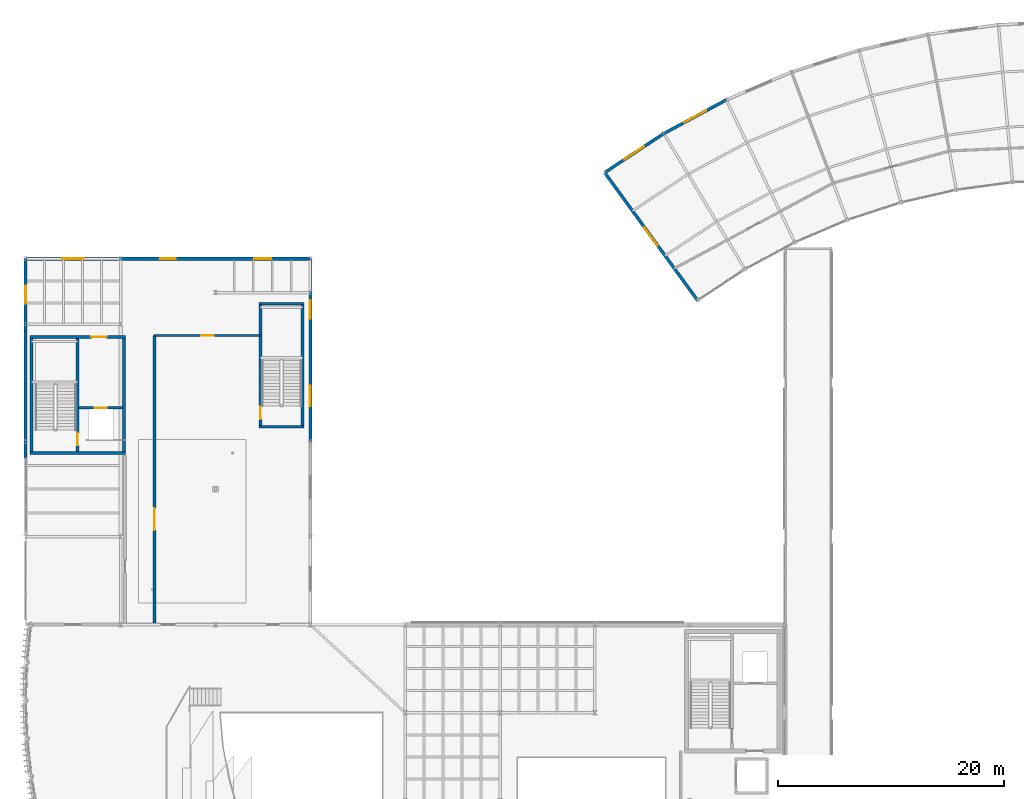
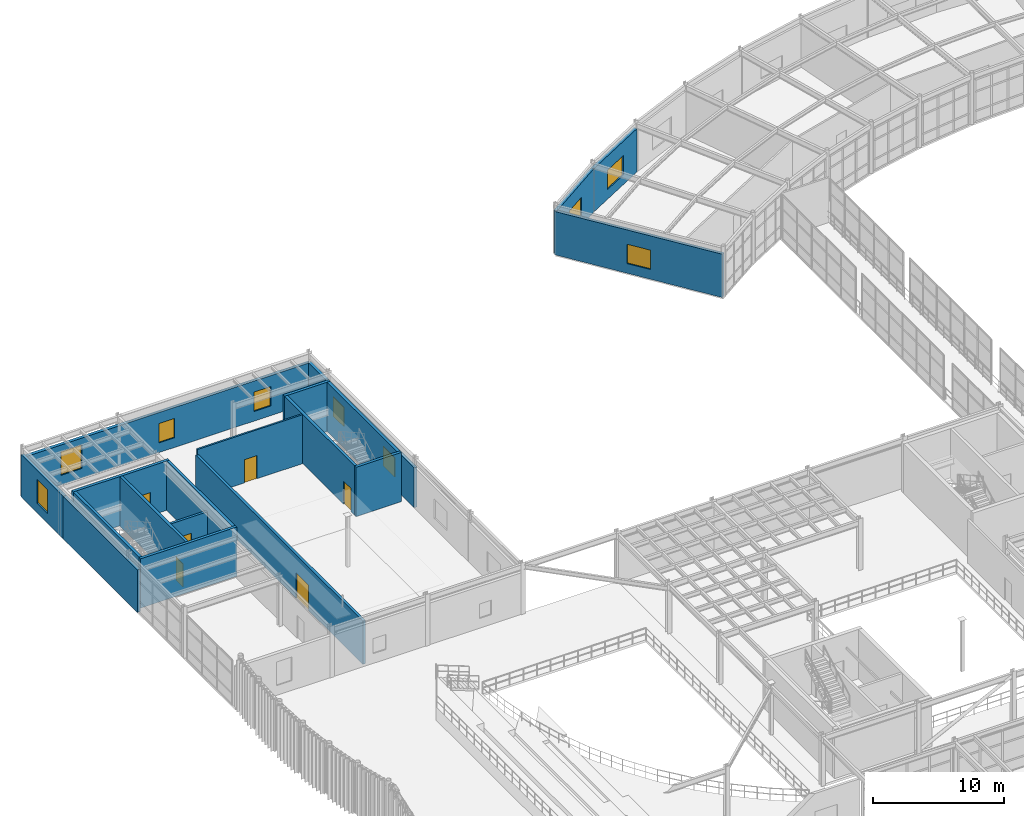
# One storey, part 98 of 116: 19 walls, 9 windows, 6 doors, 15 openings.
"""IFC4 building model written with IfcOpenShell, lengths in metres."""

import ifcopenshell
import ifcopenshell.guid

model = None  # the IFC model being written
_history = None  # IfcOwnerHistory: only IFC2X3 demands one
_inside = {}  # id of a spatial element -> (the spatial element, [elements in it])
_under = {}  # id of a project, library or spatial element -> (it, [spatial elements below it])
_declared = {}  # id of a project -> (the project, [libraries it declares])
_typed = {}  # id of a type object -> (the type object, [elements of that type])
_made_of = {}  # id of a material, layer set ... -> (it, [elements and type objects made of it])


def new_model(schema):
    """Start an empty IFC model of exactly this schema.

    Asked for "IFC4X3", IfcOpenShell would pick the latest addendum, in which some entities
    have other attributes; the version numbers below select the first issue.
    IFC2X3 requires an IfcOwnerHistory on every rooted entity: one is made here for all.
    """
    global model, _history
    if schema == "IFC4X3":
        model = ifcopenshell.file(schema_version=(4, 3, 0, 0))
    else:
        model = ifcopenshell.file(schema=schema)
    _inside.clear()
    _under.clear()
    _declared.clear()
    _typed.clear()
    _made_of.clear()
    _history = None
    if model.schema == "IFC2X3":
        org = make("IfcOrganization", Name="unknown")
        user = make(
            "IfcPersonAndOrganization",
            ThePerson=make("IfcPerson", FamilyName="unknown"),
            TheOrganization=org,
        )
        app = make(
            "IfcApplication",
            ApplicationDeveloper=org,
            Version="unknown",
            ApplicationFullName="unknown",
            ApplicationIdentifier="unknown",
        )
        _history = make(
            "IfcOwnerHistory",
            OwningUser=user,
            OwningApplication=app,
            ChangeAction="ADDED",
            CreationDate=0,
        )
    return model


def make(cls, **values):
    """One entity of the class cls with the attributes given. An attribute that is None is left unset."""
    return model.create_entity(
        cls, **{name: value for name, value in values.items() if value is not None}
    )


def rooted(cls, **values):
    """An entity with a GlobalId (a new one), such as an element, a storey or a relation."""
    return make(cls, GlobalId=ifcopenshell.guid.new(), OwnerHistory=_history, **values)


def si_unit(unit_type, name, prefix=None):
    """IfcSIUnit, for example si_unit("LENGTHUNIT", "METRE", prefix="MILLI")."""
    return make("IfcSIUnit", UnitType=unit_type, Prefix=prefix, Name=name)


def assignment(units):
    """IfcUnitAssignment: the units of a project."""
    return None if units is None else make("IfcUnitAssignment", Units=units)


def point(xyz):
    """IfcCartesianPoint."""
    return None if xyz is None else make("IfcCartesianPoint", Coordinates=xyz)


def direction(xyz):
    """IfcDirection."""
    return None if xyz is None else make("IfcDirection", DirectionRatios=xyz)


def frame(location, z_axis=None, x_axis=None):
    """IfcAxis2Placement3D, a coordinate frame: its origin and axes. An axis left out is left unset."""
    return make(
        "IfcAxis2Placement3D",
        Location=point(location),
        Axis=direction(z_axis),
        RefDirection=direction(x_axis),
    )


def frame_2d(location, x_axis=None):
    """IfcAxis2Placement2D, a coordinate frame in the plane: its origin and x axis."""
    return make(
        "IfcAxis2Placement2D", Location=point(location), RefDirection=direction(x_axis)
    )


def origin():
    """The frame at (0, 0, 0) with its axes left unset."""
    return frame((0.0, 0.0, 0.0))


def place(relative_to, where):
    """IfcLocalPlacement: puts the frame where relative to a parent placement (None: the world)."""
    return make(
        "IfcLocalPlacement", PlacementRelTo=relative_to, RelativePlacement=where
    )


def context(
    kind, dimensions, precision=None, world=None, true_north=None, identifier=None
):
    """IfcGeometricRepresentationContext, for example the 3D "Model" context."""
    return make(
        "IfcGeometricRepresentationContext",
        ContextIdentifier=identifier,
        ContextType=kind,
        CoordinateSpaceDimension=dimensions,
        Precision=precision,
        WorldCoordinateSystem=world,
        TrueNorth=true_north,
    )


def subcontext(parent, identifier, kind, view, scale=None):
    """IfcGeometricRepresentationSubContext, for example "Body" below "Model"."""
    return make(
        "IfcGeometricRepresentationSubContext",
        ContextIdentifier=identifier,
        ContextType=kind,
        ParentContext=parent,
        TargetScale=scale,
        TargetView=view,
    )


def project(units=None, contexts=None):
    """IfcProject with its units and contexts."""
    return rooted(
        "IfcProject",
        Name="project",
        RepresentationContexts=contexts,
        UnitsInContext=assignment(units),
    )


def spatial(cls, under=None, at=None, **own):
    """A site, building, storey or space (cls), placed at a placement, below another one or the project."""
    s = rooted(cls, ObjectPlacement=at, **own)
    if under is not None:
        _under.setdefault(under.id(), (under, []))[1].append(s)
    return s


def profile(cls, at=None, kind="AREA", **sizes):
    """A parametric profile (cls). Its sizes go by their IFC names, for example OverallWidth=200.0."""
    return make(cls, ProfileType=kind, Position=at, **sizes)


def rectangle(**sizes):
    """IfcRectangleProfileDef."""
    return profile("IfcRectangleProfileDef", **sizes)


def extrude(swept, where, along, depth):
    """IfcExtrudedAreaSolid: the profile swept, set in the frame where, extruded along a direction by depth."""
    return make(
        "IfcExtrudedAreaSolid",
        SweptArea=swept,
        Position=where,
        ExtrudedDirection=direction(along),
        Depth=depth,
    )


def shape(context_of_items, identifier, shape_type, items):
    """IfcShapeRepresentation: the items that make up one representation, for example the "Body"."""
    return make(
        "IfcShapeRepresentation",
        ContextOfItems=context_of_items,
        RepresentationIdentifier=identifier,
        RepresentationType=shape_type,
        Items=items,
    )


def material(Name=None, Category=None):
    """IfcMaterial."""
    return make("IfcMaterial", Name=Name, Category=Category)


def layer(
    of_material, thickness, ventilated=None, Name=None, Category=None, Priority=None
):
    """IfcMaterialLayer: one layer of a wall or slab, of a material (None: an air gap)."""
    return make(
        "IfcMaterialLayer",
        Material=of_material,
        LayerThickness=thickness,
        IsVentilated=ventilated,
        Name=Name,
        Category=Category,
        Priority=Priority,
    )


def layer_set(layers, Name=None):
    """IfcMaterialLayerSet."""
    return make("IfcMaterialLayerSet", MaterialLayers=layers, LayerSetName=Name)


def made_of(thing, what):
    """Note that an element or type object is made of a material, layer set ...; save() writes the relation."""
    if what is not None:
        _made_of.setdefault(what.id(), (what, []))[1].append(thing)
    return thing


def type_object(cls, material=None, **own):
    """A type object (cls), such as IfcWallType, which elements share."""
    return made_of(rooted(cls, **own), material)


def element(
    cls,
    number,
    at=None,
    inside=None,
    cuts=None,
    type_object=None,
    material=None,
    context=None,
    identifier="Body",
    shape_type=None,
    held_by="IfcProductDefinitionShape",
    body=None,
    shapes=None,
    **own,
):
    """One element of the class cls, such as IfcWall. Its Tag is "e" and its number.

    at: its placement. inside: the storey or other place that contains it. cuts: it is an
    opening in that element (IfcRelVoidsElement). A single representation is given by context,
    identifier, shape_type and body (its items); several are given by shapes. held_by: the class
    of the entity that holds the representations. save() writes the other relations.
    """
    e = rooted(cls, Tag="e%d" % number, ObjectPlacement=at, **own)
    if body is not None:
        shapes = [shape(context, identifier, shape_type, body)]
    if shapes is not None:
        e.Representation = make(held_by, Representations=shapes)
    if inside is not None:
        _inside.setdefault(inside.id(), (inside, []))[1].append(e)
    if cuts is not None:
        rooted(
            "IfcRelVoidsElement", RelatingBuildingElement=cuts, RelatedOpeningElement=e
        )
    if type_object is not None:
        _typed.setdefault(type_object.id(), (type_object, []))[1].append(e)
    return made_of(e, material)


def fill(opening, filler):
    """IfcRelFillsElement: the door or window that sits in an opening."""
    return rooted(
        "IfcRelFillsElement",
        RelatingOpeningElement=opening,
        RelatedBuildingElement=filler,
    )


def aggregate(whole, parts):
    """IfcRelAggregates: a whole, such as a stair, and the parts it consists of."""
    return rooted("IfcRelAggregates", RelatingObject=whole, RelatedObjects=parts)


def save(model, path):
    """Write the relations noted so far, then the file.

    IfcRelAggregates (storeys below a building ...), IfcRelContainedInSpatialStructure (elements
    in a storey), IfcRelDefinesByType, IfcRelAssociatesMaterial and IfcRelDeclares: one each for
    every whole, place, type object, material and project.
    """
    for whole, parts in _under.values():
        aggregate(whole, parts)
    for where, things in _inside.values():
        rooted(
            "IfcRelContainedInSpatialStructure",
            RelatedElements=things,
            RelatingStructure=where,
        )
    for kind, things in _typed.values():
        rooted("IfcRelDefinesByType", RelatedObjects=things, RelatingType=kind)
    for what, things in _made_of.values():
        rooted("IfcRelAssociatesMaterial", RelatedObjects=things, RelatingMaterial=what)
    for by, libraries in _declared.values():
        rooted("IfcRelDeclares", RelatingContext=by, RelatedDefinitions=libraries)
    model.write(path)


model = new_model("IFC4")

# Units and contexts
model_context = context("Model", 3, precision=1e-05, world=origin(), true_north=direction((0.0, 1.0)))
body_context = subcontext(model_context, "Body", "Model", "MODEL_VIEW")
ifc_project = project(units=[si_unit("LENGTHUNIT", "METRE"), si_unit("AREAUNIT", "SQUARE_METRE"), si_unit("VOLUMEUNIT", "CUBIC_METRE"), si_unit("PLANEANGLEUNIT", "RADIAN"), si_unit("MASSUNIT", "GRAM", prefix="KILO")], contexts=[model_context])

# Site, building, storey
site_placement = place(None, origin())
site = spatial("IfcSite", under=ifc_project, at=site_placement, CompositionType="ELEMENT")
building_placement = place(site_placement, origin())
building = spatial("IfcBuilding", under=site, at=building_placement, Name="Selat Folded Stagehouse", CompositionType="ELEMENT")
storey_placement = place(building_placement, frame((0.0, 0.0, 5.39990234375)))
storey = spatial("IfcBuildingStorey", under=building, at=storey_placement, Name="L01", CompositionType="ELEMENT", Elevation=5.39990234375)

# Wall, opening, door
ifc_material_1 = material(Name="Double-stud acoustic gypsum and mineral wool", Category="gypsum")
ifc_layer_1 = layer(ifc_material_1, 0.239990234375)
ifc_layer_set_1 = layer_set([ifc_layer_1], Name="Double-stud acoustic gypsum and mineral wool")
wall_type_1 = type_object("IfcWallType", Name="WAL-ACOU-240", PredefinedType="PARTITIONING", material=ifc_layer_set_1)
wall_1_placement = place(storey_placement, frame((11.39990234375, 54.739990234375, 0.0), z_axis=(0.0, 0.0, 1.0), x_axis=(0.0, 1.0, 0.0)))
wall_1 = element("IfcWall", 1, at=wall_1_placement, inside=storey, type_object=wall_type_1, Name="L01 interior partition wall 055", PredefinedType="PARTITIONING", context=body_context, shape_type="SweptSolid", body=[
    extrude(rectangle(XDim=25.4599609375, YDim=0.239990234375, at=frame_2d((12.72998046875, 0.0))), origin(), (0.0, 0.0, 1.0), 4.0390625),
])
opening_1_placement = place(wall_1_placement, frame((8.228515625, 0.0, 0.0)))
opening_1 = element("IfcOpeningElement", 2, at=opening_1_placement, cuts=wall_1, Name="Opening AD-02", PredefinedType="OPENING", context=body_context, shape_type="SweptSolid", body=[
    extrude(rectangle(XDim=1.949951171875, YDim=2.35009765625, at=frame_2d((0.97509765625, 1.175048828125))), frame((0.0, 0.1298828125, 0.0), z_axis=(0.0, -1.0, 0.0), x_axis=(1.0, 0.0, 0.0)), (0.0, 0.0, 1.0), 0.260009765625),
])
ifc_material_2 = material(Name="Circle auditorium acoustic double door", Category="wood")
door_type_1 = type_object("IfcDoorType", Name="DOR-AUD-1950", OperationType="NOTDEFINED", PredefinedType="DOOR", material=ifc_material_2)
door_1_placement = place(opening_1_placement, origin())
door_1 = element("IfcDoor", 3, at=door_1_placement, inside=storey, type_object=door_type_1, Name="L01 interior door IWAL-L01-055-1", OperationType="SINGLE_SWING_RIGHT", OverallHeight=2.35009765625, OverallWidth=1.949951171875, PredefinedType="DOOR", context=body_context, shape_type="SweptSolid", body=[
    extrude(rectangle(XDim=1.949951171875, YDim=2.35009765625, at=frame_2d((0.97509765625, 1.175048828125))), frame((0.0, 0.02490234375, 0.0), z_axis=(0.0, -1.0, 0.0), x_axis=(1.0, 0.0, 0.0)), (0.0, 0.0, 1.0), 0.050048828125),
])
fill(opening_1, door_1)

ifc_material_3 = material(Name="Concrete C40/50", Category="concrete")
ifc_layer_2 = layer(ifc_material_3, 0.215087890625)
ifc_layer_set_2 = layer_set([ifc_layer_2], Name="Concrete C40/50")
wall_type_2 = type_object("IfcWallType", Name="WAL-COMP-215", PredefinedType="STANDARD", material=ifc_layer_set_2)
wall_2_placement = place(storey_placement, frame((4.739990234375, 73.800048828125, 0.0), z_axis=(0.0, 0.0, 1.0), x_axis=(1.0, 0.0, 0.0)))
wall_2 = element("IfcWall", 4, at=wall_2_placement, inside=storey, type_object=wall_type_2, Name="L01 PL-04 lift shaft front wall", PredefinedType="STANDARD", context=body_context, shape_type="SweptSolid", body=[
    extrude(rectangle(XDim=3.81494140625, YDim=0.215087890625, at=frame_2d((1.907470703125, 0.0))), origin(), (0.0, 0.0, 1.0), 3.65380859375),
])
opening_2_placement = place(wall_2_placement, frame((1.382568359375, 0.0, 0.0)))
opening_2 = element("IfcOpeningElement", 5, at=opening_2_placement, cuts=wall_2, Name="Opening LD-03", PredefinedType="OPENING", context=body_context, shape_type="SweptSolid", body=[
    extrude(rectangle(XDim=1.050048828125, YDim=2.14990234375, at=frame_2d((0.52490234375, 1.074951171875))), frame((0.0, 0.117431640625, 0.0), z_axis=(0.0, -1.0, 0.0), x_axis=(1.0, 0.0, 0.0)), (0.0, 0.0, 1.0), 0.235107421875),
])
ifc_material_4 = material(Name="Passenger lift stainless sliding landing door", Category="wood")
door_type_2 = type_object("IfcDoorType", Name="DOR-LFT-1050", OperationType="NOTDEFINED", PredefinedType="DOOR", material=ifc_material_4)
door_2_placement = place(opening_2_placement, origin())
door_2 = element("IfcDoor", 6, at=door_2_placement, inside=storey, type_object=door_type_2, Name="L01 PL-04 lift sliding landing door", OperationType="SLIDING_TO_RIGHT", OverallHeight=2.14990234375, OverallWidth=1.050048828125, PredefinedType="DOOR", context=body_context, shape_type="SweptSolid", body=[
    extrude(rectangle(XDim=1.050048828125, YDim=2.14990234375, at=frame_2d((0.52490234375, 1.074951171875))), frame((0.0, 0.02490234375, 0.0), z_axis=(0.0, -1.0, 0.0), x_axis=(1.0, 0.0, 0.0)), (0.0, 0.0, 1.0), 0.050048828125),
])
fill(opening_2, door_2)

# Walls
ifc_material_5 = material(Name="Concrete C50/60", Category="concrete")
ifc_layer_3 = layer(ifc_material_5, 0.25)
ifc_layer_set_3 = layer_set([ifc_layer_3], Name="Concrete C50/60")
wall_type_3 = type_object("IfcWallType", Name="WAL-CORE-250", PredefinedType="SHEAR", material=ifc_layer_set_3)
for number, where, z_axis, x_axis, name in (
    (7, (24.64501953125, 72.1201171875, 0.0), (0.0, 0.0, 1.0), (-1.0, 0.0, 0.0), "L01 ST-07 south shaft wall"),
    (8, (20.655029296875, 83.02001953125, 0.0), (0.0, 0.0, 1.0), (1.0, 0.0, 0.0), "L01 ST-07 north shaft wall"),
):
    element("IfcWall", number, at=place(storey_placement, frame(where, z_axis=z_axis, x_axis=x_axis)), inside=storey, type_object=wall_type_3, Name=name, PredefinedType="SHEAR", context=body_context, shape_type="SweptSolid", body=[
        extrude(rectangle(XDim=3.989990234375, YDim=0.25, at=frame_2d((1.9951171875, 0.0))), origin(), (0.0, 0.0, 1.0), 4.580078125),
    ])

# Wall, opening, door
wall_3_placement = place(storey_placement, frame((20.780029296875, 72.2451171875, 0.0), z_axis=(0.0, 0.0, 1.0), x_axis=(0.0, 1.0, 0.0)))
wall_3 = element("IfcWall", 9, at=wall_3_placement, inside=storey, type_object=wall_type_3, Name="L01 ST-07 west shaft wall", PredefinedType="SHEAR", context=body_context, shape_type="SweptSolid", body=[
    extrude(rectangle(XDim=10.64990234375, YDim=0.25, at=frame_2d((5.324951171875, 0.0))), origin(), (0.0, 0.0, 1.0), 4.580078125),
])
opening_3_placement = place(wall_3_placement, frame((0.550048828125, 0.0, 0.0)))
opening_3 = element("IfcOpeningElement", 10, at=opening_3_placement, cuts=wall_3, Name="Opening FD-60", PredefinedType="OPENING", context=body_context, shape_type="SweptSolid", body=[
    extrude(rectangle(XDim=1.10009765625, YDim=2.14990234375, at=frame_2d((0.550048828125, 1.074951171875))), frame((0.0, 0.135009765625, 0.0), z_axis=(0.0, -1.0, 0.0), x_axis=(1.0, 0.0, 0.0)), (0.0, 0.0, 1.0), 0.27001953125),
])
ifc_material_6 = material(Name="Fire-rated timber core door", Category="wood")
door_type_3 = type_object("IfcDoorType", Name="DOR-FIRE-60", OperationType="NOTDEFINED", PredefinedType="DOOR", material=ifc_material_6)
door_3_placement = place(opening_3_placement, origin())
door_3 = element("IfcDoor", 11, at=door_3_placement, inside=storey, type_object=door_type_3, Name="L01 ST-07 stair door", OperationType="SINGLE_SWING_RIGHT", OverallHeight=2.14990234375, OverallWidth=1.10009765625, PredefinedType="DOOR", context=body_context, shape_type="SweptSolid", body=[
    extrude(rectangle(XDim=1.10009765625, YDim=2.14990234375, at=frame_2d((0.550048828125, 1.074951171875))), frame((0.0, 0.02490234375, 0.0), z_axis=(0.0, -1.0, 0.0), x_axis=(1.0, 0.0, 0.0)), (0.0, 0.0, 1.0), 0.050048828125),
])
fill(opening_3, door_3)

# Walls
wall_4_placement = place(storey_placement, frame((24.52001953125, 82.89501953125, 0.0), z_axis=(0.0, 0.0, 1.0), x_axis=(0.0, -1.0, 0.0)))
element("IfcWall", 12, at=wall_4_placement, inside=storey, type_object=wall_type_3, Name="L01 ST-07 east shaft wall", PredefinedType="SHEAR", context=body_context, shape_type="SweptSolid", body=[
    extrude(rectangle(XDim=10.64990234375, YDim=0.25, at=frame_2d((5.324951171875, 0.0))), origin(), (0.0, 0.0, 1.0), 4.580078125),
])
wall_5_placement = place(storey_placement, frame((8.824951171875, 69.800048828125, 0.0), z_axis=(0.0, 0.0, 1.0), x_axis=(-1.0, 0.0, 0.0)))
element("IfcWall", 13, at=wall_5_placement, inside=storey, type_object=wall_type_3, Name="L01 CR-5 south shear wall", PredefinedType="SHEAR", context=body_context, shape_type="SweptSolid", body=[
    extrude(rectangle(XDim=8.449951171875, YDim=0.25, at=frame_2d((4.22509765625, 0.0))), origin(), (0.0, 0.0, 1.0), 4.580078125),
])

# Wall, opening, door
wall_6_placement = place(storey_placement, frame((0.375, 80.06005859375, 0.0), z_axis=(0.0, 0.0, 1.0), x_axis=(1.0, 0.0, 0.0)))
wall_6 = element("IfcWall", 14, at=wall_6_placement, inside=storey, type_object=wall_type_3, Name="L01 CR-5 north shear wall", PredefinedType="SHEAR", context=body_context, shape_type="SweptSolid", body=[
    extrude(rectangle(XDim=8.449951171875, YDim=0.25, at=frame_2d((4.22509765625, 0.0))), origin(), (0.0, 0.0, 1.0), 4.580078125),
])
opening_4_placement = place(wall_6_placement, frame((5.449951171875, 0.0, 0.0)))
opening_4 = element("IfcOpeningElement", 15, at=opening_4_placement, cuts=wall_6, Name="Opening FD-60B", PredefinedType="OPENING", context=body_context, shape_type="SweptSolid", body=[
    extrude(rectangle(XDim=1.35009765625, YDim=2.14990234375, at=frame_2d((0.675048828125, 1.074951171875))), frame((0.0, 0.135009765625, 0.0), z_axis=(0.0, -1.0, 0.0), x_axis=(1.0, 0.0, 0.0)), (0.0, 0.0, 1.0), 0.27001953125),
])
ifc_material_7 = material(Name="Protected stair escape door", Category="wood")
door_type_4 = type_object("IfcDoorType", Name="DOR-STR-1350", OperationType="NOTDEFINED", PredefinedType="DOOR", material=ifc_material_7)
door_4_placement = place(opening_4_placement, origin())
door_4 = element("IfcDoor", 16, at=door_4_placement, inside=storey, type_object=door_type_4, Name="L01 CR-5 core lobby fire door", OperationType="SINGLE_SWING_RIGHT", OverallHeight=2.14990234375, OverallWidth=1.35009765625, PredefinedType="DOOR", context=body_context, shape_type="SweptSolid", body=[
    extrude(rectangle(XDim=1.35009765625, YDim=2.14990234375, at=frame_2d((0.675048828125, 1.074951171875))), frame((0.0, 0.02490234375, 0.0), z_axis=(0.0, -1.0, 0.0), x_axis=(1.0, 0.0, 0.0)), (0.0, 0.0, 1.0), 0.050048828125),
])
fill(opening_4, door_4)

# Walls
for number, where, z_axis, x_axis, name in (
    (17, (0.5, 69.925048828125, 0.0), (0.0, 0.0, 1.0), (0.0, 1.0, 0.0), "L01 CR-5 west shear wall"),
    (18, (8.699951171875, 79.93505859375, 0.0), (0.0, 0.0, 1.0), (0.0, -1.0, 0.0), "L01 CR-5 east shear wall"),
):
    element("IfcWall", number, at=place(storey_placement, frame(where, z_axis=z_axis, x_axis=x_axis)), inside=storey, type_object=wall_type_3, Name=name, PredefinedType="SHEAR", context=body_context, shape_type="SweptSolid", body=[
        extrude(rectangle(XDim=10.010009765625, YDim=0.25, at=frame_2d((5.0048828125, 0.0))), origin(), (0.0, 0.0, 1.0), 4.580078125),
    ])

# Wall, opening, door
wall_7_placement = place(storey_placement, frame((4.580078125, 79.93505859375, 0.0), z_axis=(0.0, 0.0, 1.0), x_axis=(0.0, -1.0, 0.0)))
wall_7 = element("IfcWall", 19, at=wall_7_placement, inside=storey, type_object=wall_type_3, Name="L01 CR-5 internal core divider wall", PredefinedType="SHEAR", context=body_context, shape_type="SweptSolid", body=[
    extrude(rectangle(XDim=10.010009765625, YDim=0.25, at=frame_2d((5.0048828125, 0.0))), origin(), (0.0, 0.0, 1.0), 4.580078125),
])
opening_5_placement = place(wall_7_placement, frame((8.360107421875, 0.0, 0.0)))
opening_5 = element("IfcOpeningElement", 20, at=opening_5_placement, cuts=wall_7, Name="Opening FD-60", PredefinedType="OPENING", context=body_context, shape_type="SweptSolid", body=[
    extrude(rectangle(XDim=1.10009765625, YDim=2.14990234375, at=frame_2d((0.550048828125, 1.074951171875))), frame((0.0, 0.135009765625, 0.0), z_axis=(0.0, -1.0, 0.0), x_axis=(1.0, 0.0, 0.0)), (0.0, 0.0, 1.0), 0.27001953125),
])
door_5_placement = place(opening_5_placement, origin())
door_5 = element("IfcDoor", 21, at=door_5_placement, inside=storey, type_object=door_type_3, Name="L01 CR-5 protected stair fire door", OperationType="SINGLE_SWING_LEFT", OverallHeight=2.14990234375, OverallWidth=1.10009765625, PredefinedType="DOOR", context=body_context, shape_type="SweptSolid", body=[
    extrude(rectangle(XDim=1.10009765625, YDim=2.14990234375, at=frame_2d((0.550048828125, 1.074951171875))), frame((0.0, 0.02490234375, 0.0), z_axis=(0.0, -1.0, 0.0), x_axis=(1.0, 0.0, 0.0)), (0.0, 0.0, 1.0), 0.050048828125),
])
fill(opening_5, door_5)

# Wall
ifc_material_8 = material(Name="Precast concrete C40/50", Category="concrete")
ifc_layer_4 = layer(ifc_material_8, 0.27490234375)
ifc_layer_set_4 = layer_set([ifc_layer_4], Name="Precast concrete C40/50")
wall_type_4 = type_object("IfcWallType", Name="WAL-EXT-275", PredefinedType="STANDARD", material=ifc_layer_set_4)
wall_8_placement = place(storey_placement, frame((0.0, 69.300048828125, 0.0), z_axis=(0.0, 0.0, 1.0), x_axis=(0.0, 1.0, 0.0)))
element("IfcWall", 22, at=wall_8_placement, inside=storey, type_object=wall_type_4, Name="L01 exterior facade wall EW-L01-V4W-2", PredefinedType="STANDARD", context=body_context, shape_type="SweptSolid", body=[
    extrude(rectangle(XDim=11.300048828125, YDim=0.27490234375, at=frame_2d((5.64990234375, 0.0))), origin(), (0.0, 0.0, 1.0), 3.954833984375),
])

# Wall, opening, window
wall_9_placement = place(storey_placement, frame((0.0, 80.60009765625, 0.0), z_axis=(0.0, 0.0, 1.0), x_axis=(0.0, 1.0, 0.0)))
wall_9 = element("IfcWall", 23, at=wall_9_placement, inside=storey, type_object=wall_type_4, Name="L01 exterior facade wall EW-L01-V4W-3", PredefinedType="STANDARD", context=body_context, shape_type="SweptSolid", body=[
    extrude(rectangle(XDim=6.39990234375, YDim=0.27490234375, at=frame_2d((3.199951171875, 0.0))), origin(), (0.0, 0.0, 1.0), 3.954833984375),
])
opening_6_placement = place(wall_9_placement, frame((2.39990234375, 0.0, 0.89990234375)))
opening_6 = element("IfcOpeningElement", 24, at=opening_6_placement, cuts=wall_9, Name="Opening WN-40", PredefinedType="OPENING", context=body_context, shape_type="SweptSolid", body=[
    extrude(rectangle(XDim=1.60009765625, YDim=2.199951171875, at=frame_2d((0.800048828125, 1.10009765625))), frame((0.0, 0.1474609375, 0.0), z_axis=(0.0, -1.0, 0.0), x_axis=(1.0, 0.0, 0.0)), (0.0, 0.0, 1.0), 0.294921875),
])
ifc_material_9 = material(Name="Thermally broken aluminium and acoustic low-E glass", Category="aluminium")
window_type_1 = type_object("IfcWindowType", Name="WIN-ST-1600x2200", PartitioningType="SINGLE_PANEL", PredefinedType="WINDOW", material=ifc_material_9)
window_1_placement = place(opening_6_placement, origin())
window_1 = element("IfcWindow", 25, at=window_1_placement, inside=storey, type_object=window_type_1, Name="L01 exterior window EW-L01-V4W-3-1", OverallHeight=2.199951171875, OverallWidth=1.60009765625, PartitioningType="SINGLE_PANEL", PredefinedType="WINDOW", context=body_context, shape_type="SweptSolid", body=[
    extrude(rectangle(XDim=1.60009765625, YDim=2.199951171875, at=frame_2d((0.800048828125, 1.10009765625))), frame((0.0, 0.030029296875, 0.0), z_axis=(0.0, -1.0, 0.0), x_axis=(1.0, 0.0, 0.0)), (0.0, 0.0, 1.0), 0.06005859375),
])
fill(opening_6, window_1)

# Wall, openings, windows
wall_10_placement = place(storey_placement, frame((0.0, 87.0, 0.0), z_axis=(0.0, 0.0, 1.0), x_axis=(1.0, 0.0, 0.0)))
wall_10 = element("IfcWall", 26, at=wall_10_placement, inside=storey, type_object=wall_type_4, Name="L01 exterior facade wall EW-L01-V4N", PredefinedType="STANDARD", context=body_context, shape_type="SweptSolid", body=[
    extrude(rectangle(XDim=25.199951171875, YDim=0.27490234375, at=frame_2d((12.60009765625, 0.0))), origin(), (0.0, 0.0, 1.0), 3.72119140625),
])
opening_7_placement = place(wall_10_placement, frame((3.27490234375, 0.0, 0.89990234375)))
opening_7 = element("IfcOpeningElement", 27, at=opening_7_placement, cuts=wall_10, Name="Opening WN-39", PredefinedType="OPENING", context=body_context, shape_type="SweptSolid", body=[
    extrude(rectangle(XDim=1.85009765625, YDim=2.199951171875, at=frame_2d((0.925048828125, 1.10009765625))), frame((0.0, 0.1474609375, 0.0), z_axis=(0.0, -1.0, 0.0), x_axis=(1.0, 0.0, 0.0)), (0.0, 0.0, 1.0), 0.294921875),
])
opening_8_placement = place(wall_10_placement, frame((11.925048828125, 0.0, 0.89990234375)))
opening_8 = element("IfcOpeningElement", 28, at=opening_8_placement, cuts=wall_10, Name="Opening WN-08", PredefinedType="OPENING", context=body_context, shape_type="SweptSolid", body=[
    extrude(rectangle(XDim=1.35009765625, YDim=1.800048828125, at=frame_2d((0.675048828125, 0.89990234375))), frame((0.0, 0.1474609375, 0.0), z_axis=(0.0, -1.0, 0.0), x_axis=(1.0, 0.0, 0.0)), (0.0, 0.0, 1.0), 0.294921875),
])
opening_9_placement = place(wall_10_placement, frame((20.25, 0.0, 0.89990234375)))
opening_9 = element("IfcOpeningElement", 29, at=opening_9_placement, cuts=wall_10, Name="Opening WN-07", PredefinedType="OPENING", context=body_context, shape_type="SweptSolid", body=[
    extrude(rectangle(XDim=1.5, YDim=1.800048828125, at=frame_2d((0.75, 0.89990234375))), frame((0.0, 0.1474609375, 0.0), z_axis=(0.0, -1.0, 0.0), x_axis=(1.0, 0.0, 0.0)), (0.0, 0.0, 1.0), 0.294921875),
])
window_type_2 = type_object("IfcWindowType", Name="WIN-ST-1850x2200", PartitioningType="SINGLE_PANEL", PredefinedType="WINDOW", material=ifc_material_9)
window_2_placement = place(opening_7_placement, origin())
window_2 = element("IfcWindow", 30, at=window_2_placement, inside=storey, type_object=window_type_2, Name="L01 exterior window EW-L01-V4N-1", OverallHeight=2.199951171875, OverallWidth=1.85009765625, PartitioningType="SINGLE_PANEL", PredefinedType="WINDOW", context=body_context, shape_type="SweptSolid", body=[
    extrude(rectangle(XDim=1.85009765625, YDim=2.199951171875, at=frame_2d((0.925048828125, 1.10009765625))), frame((0.0, 0.030029296875, 0.0), z_axis=(0.0, -1.0, 0.0), x_axis=(1.0, 0.0, 0.0)), (0.0, 0.0, 1.0), 0.06005859375),
])
fill(opening_7, window_2)
window_type_3 = type_object("IfcWindowType", Name="WIN-WK-1350x1800", PartitioningType="SINGLE_PANEL", PredefinedType="WINDOW", material=ifc_material_9)
window_3_placement = place(opening_8_placement, origin())
window_3 = element("IfcWindow", 31, at=window_3_placement, inside=storey, type_object=window_type_3, Name="L01 exterior window EW-L01-V4N-2", OverallHeight=1.800048828125, OverallWidth=1.35009765625, PartitioningType="SINGLE_PANEL", PredefinedType="WINDOW", context=body_context, shape_type="SweptSolid", body=[
    extrude(rectangle(XDim=1.35009765625, YDim=1.800048828125, at=frame_2d((0.675048828125, 0.89990234375))), frame((0.0, 0.030029296875, 0.0), z_axis=(0.0, -1.0, 0.0), x_axis=(1.0, 0.0, 0.0)), (0.0, 0.0, 1.0), 0.06005859375),
])
fill(opening_8, window_3)
window_type_4 = type_object("IfcWindowType", Name="WIN-WK-1500x1800", PartitioningType="SINGLE_PANEL", PredefinedType="WINDOW", material=ifc_material_9)
window_4_placement = place(opening_9_placement, origin())
window_4 = element("IfcWindow", 32, at=window_4_placement, inside=storey, type_object=window_type_4, Name="L01 exterior window EW-L01-V4N-3", OverallHeight=1.800048828125, OverallWidth=1.5, PartitioningType="SINGLE_PANEL", PredefinedType="WINDOW", context=body_context, shape_type="SweptSolid", body=[
    extrude(rectangle(XDim=1.5, YDim=1.800048828125, at=frame_2d((0.75, 0.89990234375))), frame((0.0, 0.030029296875, 0.0), z_axis=(0.0, -1.0, 0.0), x_axis=(1.0, 0.0, 0.0)), (0.0, 0.0, 1.0), 0.06005859375),
])
fill(opening_9, window_4)

wall_11_placement = place(storey_placement, frame((25.199951171875, 87.0, 0.0), z_axis=(0.0, 0.0, 1.0), x_axis=(0.0, -1.0, 0.0)))
wall_11 = element("IfcWall", 33, at=wall_11_placement, inside=storey, type_object=wall_type_4, Name="L01 exterior facade wall EW-L01-V4E-1", PredefinedType="STANDARD", context=body_context, shape_type="SweptSolid", body=[
    extrude(rectangle(XDim=16.199951171875, YDim=0.27490234375, at=frame_2d((8.10009765625, 0.0))), origin(), (0.0, 0.0, 1.0), 3.72119140625),
])
opening_10_placement = place(wall_11_placement, frame((3.675048828125, 0.0, 0.89990234375)))
opening_10 = element("IfcOpeningElement", 34, at=opening_10_placement, cuts=wall_11, Name="Opening WN-06", PredefinedType="OPENING", context=body_context, shape_type="SweptSolid", body=[
    extrude(rectangle(XDim=1.64990234375, YDim=1.800048828125, at=frame_2d((0.824951171875, 0.89990234375))), frame((0.0, 0.1474609375, 0.0), z_axis=(0.0, -1.0, 0.0), x_axis=(1.0, 0.0, 0.0)), (0.0, 0.0, 1.0), 0.294921875),
])
opening_11_placement = place(wall_11_placement, frame((11.25, 0.0, 0.89990234375)))
opening_11 = element("IfcOpeningElement", 35, at=opening_11_placement, cuts=wall_11, Name="Opening WN-05", PredefinedType="OPENING", context=body_context, shape_type="SweptSolid", body=[
    extrude(rectangle(XDim=1.800048828125, YDim=1.800048828125, at=frame_2d((0.89990234375, 0.89990234375))), frame((0.0, 0.1474609375, 0.0), z_axis=(0.0, -1.0, 0.0), x_axis=(1.0, 0.0, 0.0)), (0.0, 0.0, 1.0), 0.294921875),
])
window_type_5 = type_object("IfcWindowType", Name="WIN-WK-1650x1800", PartitioningType="SINGLE_PANEL", PredefinedType="WINDOW", material=ifc_material_9)
window_5_placement = place(opening_10_placement, origin())
window_5 = element("IfcWindow", 36, at=window_5_placement, inside=storey, type_object=window_type_5, Name="L01 exterior window EW-L01-V4E-1-1", OverallHeight=1.800048828125, OverallWidth=1.64990234375, PartitioningType="SINGLE_PANEL", PredefinedType="WINDOW", context=body_context, shape_type="SweptSolid", body=[
    extrude(rectangle(XDim=1.64990234375, YDim=1.800048828125, at=frame_2d((0.824951171875, 0.89990234375))), frame((0.0, 0.030029296875, 0.0), z_axis=(0.0, -1.0, 0.0), x_axis=(1.0, 0.0, 0.0)), (0.0, 0.0, 1.0), 0.06005859375),
])
fill(opening_10, window_5)
window_type_6 = type_object("IfcWindowType", Name="WIN-WK-1800x1800", PartitioningType="SINGLE_PANEL", PredefinedType="WINDOW", material=ifc_material_9)
window_6_placement = place(opening_11_placement, origin())
window_6 = element("IfcWindow", 37, at=window_6_placement, inside=storey, type_object=window_type_6, Name="L01 exterior window EW-L01-V4E-1-2", OverallHeight=1.800048828125, OverallWidth=1.800048828125, PartitioningType="SINGLE_PANEL", PredefinedType="WINDOW", context=body_context, shape_type="SweptSolid", body=[
    extrude(rectangle(XDim=1.800048828125, YDim=1.800048828125, at=frame_2d((0.89990234375, 0.89990234375))), frame((0.0, 0.030029296875, 0.0), z_axis=(0.0, -1.0, 0.0), x_axis=(1.0, 0.0, 0.0)), (0.0, 0.0, 1.0), 0.06005859375),
])
fill(opening_11, window_6)

# Wall, opening, window
wall_12_placement = place(storey_placement, frame((59.48388671875, 83.304931640625, 0.0), z_axis=(0.0, 0.0, 1.0), x_axis=(-0.587787980643, 0.809015012105, 0.0)))
wall_12 = element("IfcWall", 38, at=wall_12_placement, inside=storey, type_object=wall_type_4, Name="L01 exterior facade wall EW-L01-V6W", PredefinedType="STANDARD", context=body_context, shape_type="SweptSolid", body=[
    extrude(rectangle(XDim=14.0, YDim=0.27490234375, at=frame_2d((7.0, 0.0))), origin(), (0.0, 0.0, 1.0), 4.029052734375),
])
opening_12_placement = place(wall_12_placement, frame((6.02490234375, 0.0, 0.89990234375)))
opening_12 = element("IfcOpeningElement", 39, at=opening_12_placement, cuts=wall_12, Name="Opening WN-04", PredefinedType="OPENING", context=body_context, shape_type="SweptSolid", body=[
    extrude(rectangle(XDim=1.949951171875, YDim=1.800048828125, at=frame_2d((0.97509765625, 0.89990234375))), frame((0.0, 0.1474609375, 0.0), z_axis=(0.0, -1.0, 0.0), x_axis=(1.0, 0.0, 0.0)), (0.0, 0.0, 1.0), 0.294921875),
])
window_type_7 = type_object("IfcWindowType", Name="WIN-WK-1950x1800", PartitioningType="SINGLE_PANEL", PredefinedType="WINDOW", material=ifc_material_9)
window_7_placement = place(opening_12_placement, origin())
window_7 = element("IfcWindow", 40, at=window_7_placement, inside=storey, type_object=window_type_7, Name="L01 exterior window EW-L01-V6W-1", OverallHeight=1.800048828125, OverallWidth=1.949951171875, PartitioningType="SINGLE_PANEL", PredefinedType="WINDOW", context=body_context, shape_type="SweptSolid", body=[
    extrude(rectangle(XDim=1.949951171875, YDim=1.800048828125, at=frame_2d((0.97509765625, 0.89990234375))), frame((0.0, 0.030029296875, 0.0), z_axis=(0.0, -1.0, 0.0), x_axis=(1.0, 0.0, 0.0)), (0.0, 0.0, 1.0), 0.06005859375),
])
fill(opening_12, window_7)

wall_13_placement = place(storey_placement, frame((51.2548828125, 94.631103515625, 0.0), z_axis=(0.0, 0.0, 1.0), x_axis=(0.834582959038, 0.550882278244, 0.0)))
wall_13 = element("IfcWall", 41, at=wall_13_placement, inside=storey, type_object=wall_type_4, Name="L01 exterior facade wall EW-L01-V6OUT-00", PredefinedType="STANDARD", context=body_context, shape_type="SweptSolid", body=[
    extrude(rectangle(XDim=6.28125, YDim=0.27490234375, at=frame_2d((3.140625, 0.0))), origin(), (0.0, 0.0, 1.0), 4.029052734375),
])
opening_13_placement = place(wall_13_placement, frame((2.090576171875, 0.0, 0.89990234375)))
opening_13 = element("IfcOpeningElement", 42, at=opening_13_placement, cuts=wall_13, Name="Opening WN-03", PredefinedType="OPENING", context=body_context, shape_type="SweptSolid", body=[
    extrude(rectangle(XDim=2.10009765625, YDim=1.800048828125, at=frame_2d((1.050048828125, 0.89990234375))), frame((0.0, 0.1474609375, 0.0), z_axis=(0.0, -1.0, 0.0), x_axis=(1.0, 0.0, 0.0)), (0.0, 0.0, 1.0), 0.294921875),
])
window_type_8 = type_object("IfcWindowType", Name="WIN-WK-2100x1800", PartitioningType="SINGLE_PANEL", PredefinedType="WINDOW", material=ifc_material_9)
window_8_placement = place(opening_13_placement, origin())
window_8 = element("IfcWindow", 43, at=window_8_placement, inside=storey, type_object=window_type_8, Name="L01 exterior window EW-L01-V6OUT-00-1", OverallHeight=1.800048828125, OverallWidth=2.10009765625, PartitioningType="SINGLE_PANEL", PredefinedType="WINDOW", context=body_context, shape_type="SweptSolid", body=[
    extrude(rectangle(XDim=2.10009765625, YDim=1.800048828125, at=frame_2d((1.050048828125, 0.89990234375))), frame((0.0, 0.030029296875, 0.0), z_axis=(0.0, -1.0, 0.0), x_axis=(1.0, 0.0, 0.0)), (0.0, 0.0, 1.0), 0.06005859375),
])
fill(opening_13, window_8)

wall_14_placement = place(storey_placement, frame((56.4970703125, 98.09130859375, 0.0), z_axis=(0.0, 0.0, 1.0), x_axis=(0.880582156138, 0.473893517883, 0.0)))
wall_14 = element("IfcWall", 44, at=wall_14_placement, inside=storey, type_object=wall_type_4, Name="L01 exterior facade wall EW-L01-V6OUT-01", PredefinedType="STANDARD", context=body_context, shape_type="SweptSolid", body=[
    extrude(rectangle(XDim=6.281005859375, YDim=0.27490234375, at=frame_2d((3.140625, 0.0))), origin(), (0.0, 0.0, 1.0), 4.029052734375),
])
opening_14_placement = place(wall_14_placement, frame((2.015380859375, 0.0, 0.89990234375)))
opening_14 = element("IfcOpeningElement", 45, at=opening_14_placement, cuts=wall_14, Name="Opening WN-02", PredefinedType="OPENING", context=body_context, shape_type="SweptSolid", body=[
    extrude(rectangle(XDim=2.25, YDim=1.800048828125, at=frame_2d((1.125, 0.89990234375))), frame((0.0, 0.1474609375, 0.0), z_axis=(0.0, -1.0, 0.0), x_axis=(1.0, 0.0, 0.0)), (0.0, 0.0, 1.0), 0.294921875),
])
window_type_9 = type_object("IfcWindowType", Name="WIN-WK-2250x1800", PartitioningType="SINGLE_PANEL", PredefinedType="WINDOW", material=ifc_material_9)
window_9_placement = place(opening_14_placement, origin())
window_9 = element("IfcWindow", 46, at=window_9_placement, inside=storey, type_object=window_type_9, Name="L01 exterior window EW-L01-V6OUT-01-1", OverallHeight=1.800048828125, OverallWidth=2.25, PartitioningType="SINGLE_PANEL", PredefinedType="WINDOW", context=body_context, shape_type="SweptSolid", body=[
    extrude(rectangle(XDim=2.25, YDim=1.800048828125, at=frame_2d((1.125, 0.89990234375))), frame((0.0, 0.030029296875, 0.0), z_axis=(0.0, -1.0, 0.0), x_axis=(1.0, 0.0, 0.0)), (0.0, 0.0, 1.0), 0.06005859375),
])
fill(opening_14, window_9)

# Wall, opening, door
ifc_material_10 = material(Name="Fire-rated drywall stud partition", Category="gypsum")
ifc_layer_5 = layer(ifc_material_10, 0.14990234375)
ifc_layer_set_5 = layer_set([ifc_layer_5], Name="Fire-rated drywall stud partition")
wall_type_5 = type_object("IfcWallType", Name="WAL-PART-150", PredefinedType="PARTITIONING", material=ifc_layer_set_5)
wall_15_placement = place(storey_placement, frame((11.39990234375, 80.199951171875, 0.0), z_axis=(0.0, 0.0, 1.0), x_axis=(1.0, 0.0, 0.0)))
wall_15 = element("IfcWall", 47, at=wall_15_placement, inside=storey, type_object=wall_type_5, Name="L01 interior partition wall 056", PredefinedType="PARTITIONING", context=body_context, shape_type="SweptSolid", body=[
    extrude(rectangle(XDim=9.380126953125, YDim=0.14990234375, at=frame_2d((4.68994140625, 0.0))), origin(), (0.0, 0.0, 1.0), 4.552001953125),
])
opening_15_placement = place(wall_15_placement, frame((4.139892578125, 0.0, 0.0)))
opening_15 = element("IfcOpeningElement", 48, at=opening_15_placement, cuts=wall_15, Name="Opening FD-60", PredefinedType="OPENING", context=body_context, shape_type="SweptSolid", body=[
    extrude(rectangle(XDim=1.10009765625, YDim=2.14990234375, at=frame_2d((0.550048828125, 1.074951171875))), frame((0.0, 0.0849609375, 0.0), z_axis=(0.0, -1.0, 0.0), x_axis=(1.0, 0.0, 0.0)), (0.0, 0.0, 1.0), 0.169921875),
])
door_6_placement = place(opening_15_placement, origin())
door_6 = element("IfcDoor", 49, at=door_6_placement, inside=storey, type_object=door_type_3, Name="L01 interior door IWAL-L01-056-1", OperationType="SINGLE_SWING_LEFT", OverallHeight=2.14990234375, OverallWidth=1.10009765625, PredefinedType="DOOR", context=body_context, shape_type="SweptSolid", body=[
    extrude(rectangle(XDim=1.10009765625, YDim=2.14990234375, at=frame_2d((0.550048828125, 1.074951171875))), frame((0.0, 0.02490234375, 0.0), z_axis=(0.0, -1.0, 0.0), x_axis=(1.0, 0.0, 0.0)), (0.0, 0.0, 1.0), 0.050048828125),
])
fill(opening_15, door_6)

save(model, "model.ifc")
